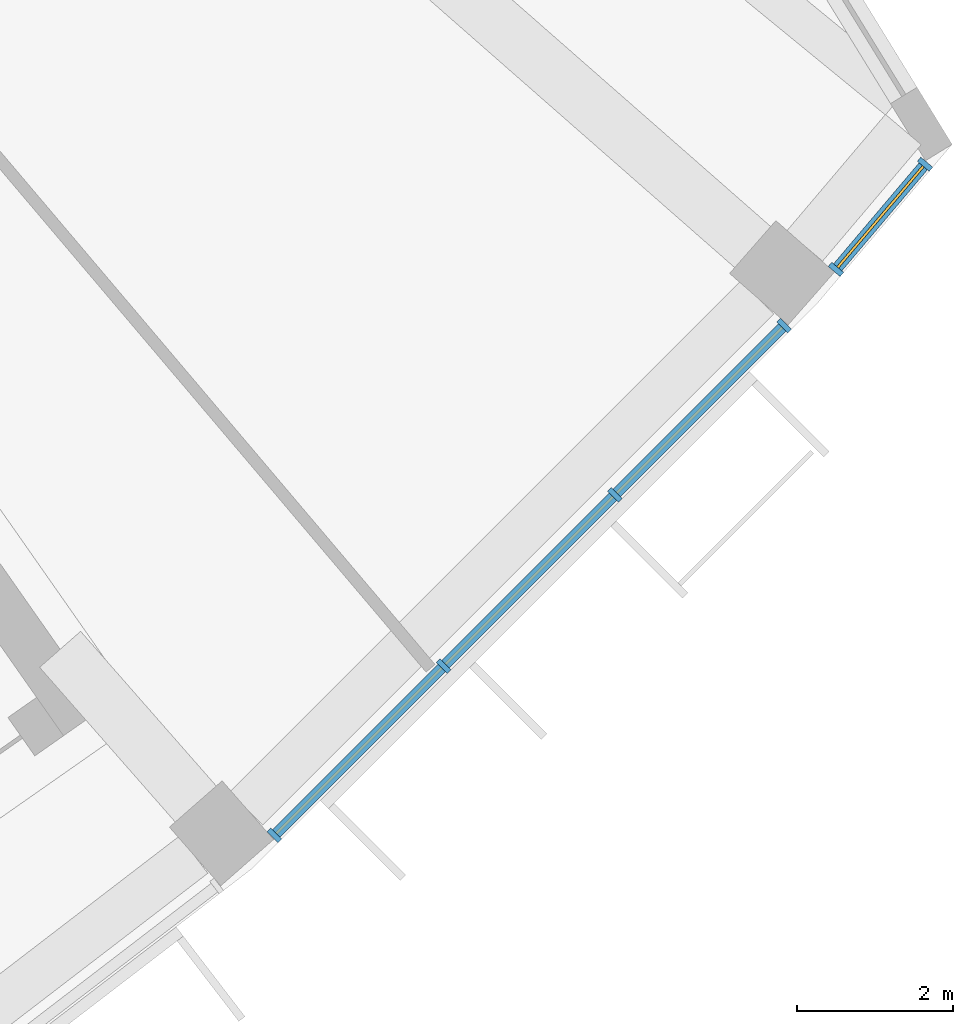
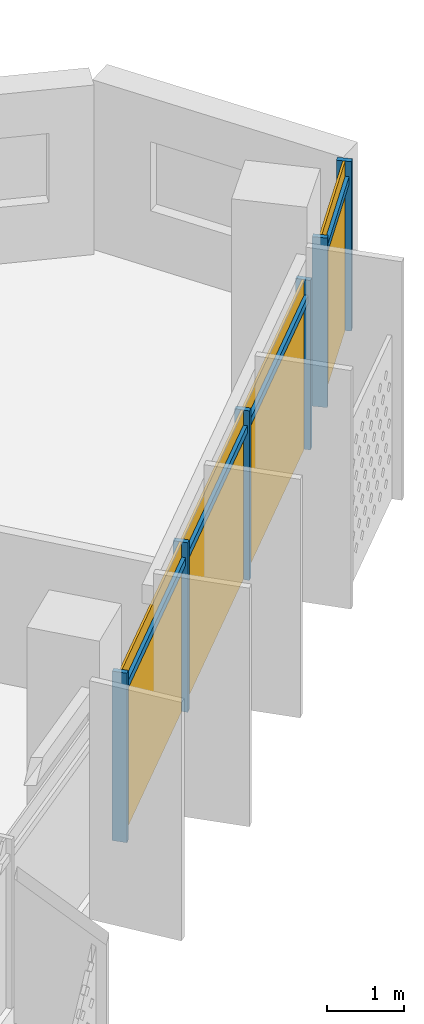
# One storey, part 21 of 27: 10 members, 2 curtain walls.
"""IFC4 building model written with IfcOpenShell, lengths in metres."""

from ifc_helpers import new_model, si_unit, direction, frame, origin, origin_2d, place, context, subcontext, project, spatial, rectangle, extrude, material, material_profile, profile_set, type_object, element, aggregate, save


model = new_model("IFC4")

# Units and contexts
model_context = context("Model", 3, precision=1e-05, world=origin(), true_north=direction((0.0, 1.0)))
body_context = subcontext(model_context, "Body", "Model", "MODEL_VIEW")
ifc_project = project(units=[si_unit("LENGTHUNIT", "METRE"), si_unit("AREAUNIT", "SQUARE_METRE"), si_unit("VOLUMEUNIT", "CUBIC_METRE"), si_unit("PLANEANGLEUNIT", "RADIAN"), si_unit("MASSUNIT", "GRAM", prefix="KILO")], contexts=[model_context])

# Member
ifc_material = material(Name="Aluminium 6063-T6 anodised", Category="aluminium")
ifc_material_profile_1 = material_profile(ifc_material, rectangle(XDim=0.199951171875, YDim=0.070068359375, at=origin_2d()))
ifc_profile_set_1 = profile_set([ifc_material_profile_1], Name="Aluminium 6063-T6 anodised")
member_type_1 = type_object("IfcMemberType", Name="Mullion 70 x 200 aluminium", PredefinedType="MULLION", material=ifc_profile_set_1)
site_placement = place(None, origin())
building_placement = place(site_placement, origin())
storey_placement = place(building_placement, frame((0.0, 0.0, 280.89990234375)))
member_1_placement = place(storey_placement, frame((51.942626953125, -58.482421875, 0.0), z_axis=(0.0, 0.0, 1.0), x_axis=(-0.707106781187, 0.707106781187, 0.0)))
member_1 = element("IfcMember", 1, at=member_1_placement, type_object=member_type_1, Name="e-cw1-L68-out13/M00", PredefinedType="MULLION", context=body_context, shape_type="SweptSolid", body=[
    extrude(rectangle(XDim=0.199951171875, YDim=0.070068359375, at=origin_2d()), origin(), (0.0, 0.0, 1.0), 2.7001953125),
])

member_2_placement = place(storey_placement, frame((54.1142578125, -56.310791015625, 0.0), z_axis=(0.0, 0.0, 1.0), x_axis=(-0.707106781187, 0.707106781187, 0.0)))
member_2 = element("IfcMember", 2, at=member_2_placement, type_object=member_type_1, Name="e-cw1-L68-out13/M01", PredefinedType="MULLION", context=body_context, shape_type="SweptSolid", body=[
    extrude(rectangle(XDim=0.199951171875, YDim=0.070068359375, at=origin_2d()), origin(), (0.0, 0.0, 1.0), 2.7001953125),
])

member_3_placement = place(storey_placement, frame((56.310791015625, -54.1142578125, 0.0), z_axis=(0.0, 0.0, 1.0), x_axis=(-0.707106781187, 0.707106781187, 0.0)))
member_3 = element("IfcMember", 3, at=member_3_placement, type_object=member_type_1, Name="e-cw1-L68-out13/M02", PredefinedType="MULLION", context=body_context, shape_type="SweptSolid", body=[
    extrude(rectangle(XDim=0.199951171875, YDim=0.070068359375, at=origin_2d()), origin(), (0.0, 0.0, 1.0), 2.7001953125),
])

member_4_placement = place(storey_placement, frame((58.482421875, -51.942626953125, 0.0), z_axis=(0.0, 0.0, 1.0), x_axis=(-0.707106781187, 0.707106781187, 0.0)))
member_4 = element("IfcMember", 4, at=member_4_placement, type_object=member_type_1, Name="e-cw1-L68-out13/M03", PredefinedType="MULLION", context=body_context, shape_type="SweptSolid", body=[
    extrude(rectangle(XDim=0.199951171875, YDim=0.070068359375, at=origin_2d()), origin(), (0.0, 0.0, 1.0), 2.7001953125),
])

member_5_placement = place(storey_placement, frame((59.14697265625, -51.22119140625, 0.0), z_axis=(0.0, 0.0, 1.0), x_axis=(-0.762997443444, 0.646401501621, 0.0)))
member_5 = element("IfcMember", 5, at=member_5_placement, type_object=member_type_1, Name="e-cw1-L68-out14/M00", PredefinedType="MULLION", context=body_context, shape_type="SweptSolid", body=[
    extrude(rectangle(XDim=0.199951171875, YDim=0.070068359375, at=origin_2d()), origin(), (0.0, 0.0, 1.0), 2.7001953125),
])

member_6_placement = place(storey_placement, frame((60.289794921875, -49.872314453125, 0.0), z_axis=(0.0, 0.0, 1.0), x_axis=(-0.762997443444, 0.646401501621, 0.0)))
member_6 = element("IfcMember", 6, at=member_6_placement, type_object=member_type_1, Name="e-cw1-L68-out14/M01", PredefinedType="MULLION", context=body_context, shape_type="SweptSolid", body=[
    extrude(rectangle(XDim=0.199951171875, YDim=0.070068359375, at=origin_2d()), origin(), (0.0, 0.0, 1.0), 2.7001953125),
])

ifc_material_profile_2 = material_profile(ifc_material, rectangle(XDim=0.139892578125, YDim=0.1201171875, at=origin_2d()))
ifc_profile_set_2 = profile_set([ifc_material_profile_2], Name="Aluminium 6063-T6 anodised")
member_type_2 = type_object("IfcMemberType", Name="Transom 120 x 140 aluminium", PredefinedType="USERDEFINED", material=ifc_profile_set_2)
member_7_placement = place(storey_placement, frame((51.96728515625, -58.45751953125, 2.400146484375), z_axis=(0.707147453401, 0.707066106633, 0.0), x_axis=(-0.707066106633, 0.707147453401, 0.0)))
member_7 = element("IfcMember", 7, at=member_7_placement, type_object=member_type_2, Name="e-cw1-L68-out13/T00", ObjectType="TRANSOM", PredefinedType="USERDEFINED", context=body_context, shape_type="SweptSolid", body=[
    extrude(rectangle(XDim=0.139892578125, YDim=0.1201171875, at=origin_2d()), origin(), (0.0, 0.0, 1.0), 3.001220703125),
])

member_8_placement = place(storey_placement, frame((54.138916015625, -56.285888671875, 2.400146484375), z_axis=(0.707106781187, 0.707106781187, 0.0), x_axis=(-0.707106781187, 0.707106781187, 0.0)))
member_8 = element("IfcMember", 8, at=member_8_placement, type_object=member_type_2, Name="e-cw1-L68-out13/T01", ObjectType="TRANSOM", PredefinedType="USERDEFINED", context=body_context, shape_type="SweptSolid", body=[
    extrude(rectangle(XDim=0.139892578125, YDim=0.1201171875, at=origin_2d()), origin(), (0.0, 0.0, 1.0), 3.036376953125),
])

member_9_placement = place(storey_placement, frame((56.33544921875, -54.089599609375, 2.400146484375), z_axis=(0.707066106633, 0.707147453401, 0.0), x_axis=(-0.707147453401, 0.707066106633, 0.0)))
member_9 = element("IfcMember", 9, at=member_9_placement, type_object=member_type_2, Name="e-cw1-L68-out13/T02", ObjectType="TRANSOM", PredefinedType="USERDEFINED", context=body_context, shape_type="SweptSolid", body=[
    extrude(rectangle(XDim=0.139892578125, YDim=0.1201171875, at=origin_2d()), origin(), (0.0, 0.0, 1.0), 3.001220703125),
])

member_10_placement = place(storey_placement, frame((59.169677734375, -51.194580078125, 2.400146484375), z_axis=(0.646386924173, 0.763009793029, 0.0), x_axis=(-0.763009793029, 0.646386924173, 0.0)))
member_10 = element("IfcMember", 10, at=member_10_placement, type_object=member_type_2, Name="e-cw1-L68-out14/T00", ObjectType="TRANSOM", PredefinedType="USERDEFINED", context=body_context, shape_type="SweptSolid", body=[
    extrude(rectangle(XDim=0.139892578125, YDim=0.1201171875, at=origin_2d()), origin(), (0.0, 0.0, 1.0), 1.69775390625),
])

# Site, building, storey
site = spatial("IfcSite", under=ifc_project, at=site_placement, CompositionType="ELEMENT")
building = spatial("IfcBuilding", under=site, at=building_placement, Name="Qamariyya Broadcast Tower", CompositionType="ELEMENT")
storey = spatial("IfcBuildingStorey", under=building, at=storey_placement, Name="L68", CompositionType="ELEMENT", Elevation=280.89990234375)

# Curtain wall
curtain_wall_type = type_object("IfcCurtainWallType", Name="Unitised curtain wall, anodised aluminium", PredefinedType="NOTDEFINED", material=ifc_material)
curtain_wall_1_placement = place(storey_placement, origin())
curtain_wall_1 = element("IfcCurtainWall", 11, at=curtain_wall_1_placement, inside=storey, type_object=curtain_wall_type, Name="e-cw1-L68-out13", PredefinedType="NOTDEFINED", context=body_context, shape_type="SweptSolid", body=[
    extrude(rectangle(XDim=3.001220703125, YDim=0.031982421875, at=origin_2d()), frame((53.0283203125, -57.396484375, 0.0), x_axis=(0.707106781187, 0.707106781187, 0.0)), (0.0, 0.0, 1.0), 2.340087890625),
    extrude(rectangle(XDim=3.001220703125, YDim=0.031982421875, at=origin_2d()), frame((53.0283203125, -57.396484375, 2.460205078125), x_axis=(0.707106781187, 0.707106781187, 0.0)), (0.0, 0.0, 1.0), 0.239990234375),
    extrude(rectangle(XDim=3.0361328125, YDim=0.031982421875, at=origin_2d()), frame((55.21240234375, -55.21240234375, 0.0), x_axis=(0.707106781187, 0.707106781187, 0.0)), (0.0, 0.0, 1.0), 2.340087890625),
    extrude(rectangle(XDim=3.0361328125, YDim=0.031982421875, at=origin_2d()), frame((55.21240234375, -55.21240234375, 2.460205078125), x_axis=(0.707106781187, 0.707106781187, 0.0)), (0.0, 0.0, 1.0), 0.239990234375),
    extrude(rectangle(XDim=3.001220703125, YDim=0.031982421875, at=origin_2d()), frame((57.396484375, -53.0283203125, 0.0), x_axis=(0.707106781187, 0.707106781187, 0.0)), (0.0, 0.0, 1.0), 2.340087890625),
    extrude(rectangle(XDim=3.001220703125, YDim=0.031982421875, at=origin_2d()), frame((57.396484375, -53.0283203125, 2.460205078125), x_axis=(0.707106781187, 0.707106781187, 0.0)), (0.0, 0.0, 1.0), 0.239990234375),
])

aggregate(curtain_wall_1, [member_1, member_2, member_3, member_4, member_7, member_8, member_9])

curtain_wall_2_placement = place(storey_placement, origin())
curtain_wall_2 = element("IfcCurtainWall", 12, at=curtain_wall_2_placement, inside=storey, type_object=curtain_wall_type, Name="e-cw1-L68-out14", PredefinedType="NOTDEFINED", context=body_context, shape_type="SweptSolid", body=[
    extrude(rectangle(XDim=1.697998046875, YDim=0.031982421875, at=origin_2d()), frame((59.718505859375, -50.546875, 0.0), x_axis=(0.646382784844, 0.76301329966, 0.0)), (0.0, 0.0, 1.0), 2.340087890625),
    extrude(rectangle(XDim=1.697998046875, YDim=0.031982421875, at=origin_2d()), frame((59.718505859375, -50.546875, 2.460205078125), x_axis=(0.646382784844, 0.76301329966, 0.0)), (0.0, 0.0, 1.0), 0.239990234375),
])

aggregate(curtain_wall_2, [member_5, member_6, member_10])

save(model, "model.ifc")
